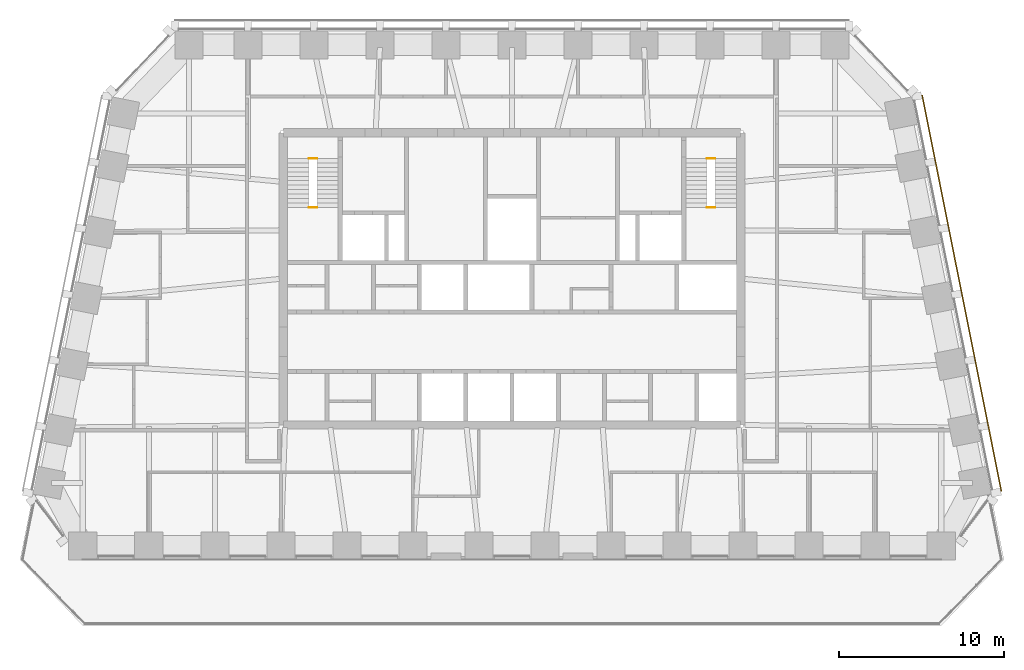
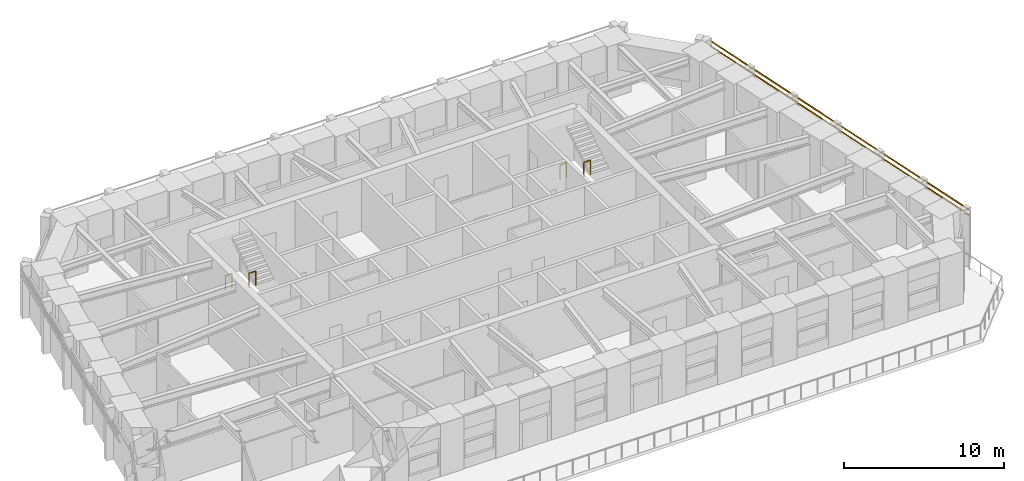
# One storey, part 9 of 10: 4 railings, 2 shading devices.
"""IFC4 building model written with IfcOpenShell, lengths in metres."""

from ifc_helpers import new_model, si_unit, direction, frame, origin, origin_2d, place, context, subcontext, project, spatial, rectangle, circle, extrude, material, material_profile, profile_set, type_object, element, save


model = new_model("IFC4")

# Units and contexts
model_context = context("Model", 3, precision=1e-05, world=origin(), true_north=direction((0.0, 1.0)))
body_context = subcontext(model_context, "Body", "Model", "MODEL_VIEW")
ifc_project = project(units=[si_unit("LENGTHUNIT", "METRE"), si_unit("AREAUNIT", "SQUARE_METRE"), si_unit("VOLUMEUNIT", "CUBIC_METRE"), si_unit("PLANEANGLEUNIT", "RADIAN"), si_unit("MASSUNIT", "GRAM", prefix="KILO")], contexts=[model_context])

# Site, building, storey
site_placement = place(None, origin())
site = spatial("IfcSite", under=ifc_project, at=site_placement, CompositionType="ELEMENT")
building_placement = place(site_placement, origin())
building = spatial("IfcBuilding", under=site, at=building_placement, Name="Isbrekke Arena Tower", CompositionType="ELEMENT")
storey_placement = place(building_placement, frame((0.0, 0.0, 296.0)))
storey = spatial("IfcBuildingStorey", under=building, at=storey_placement, Name="L69", CompositionType="ELEMENT", Elevation=296.0)

# Shading devices
ifc_material_1 = material(Name="Terracotta", Category="masonry")
ifc_material_profile = material_profile(ifc_material_1, rectangle(XDim=0.06005859375, YDim=0.06005859375, at=origin_2d()), Name="BAGUETTE 60X60")
ifc_profile_set = profile_set([ifc_material_profile], Name="Terracotta")
shading_device_type = type_object("IfcShadingDeviceType", Name="BG1 TERRACOTTA BAGUETTE 60 x 60", PredefinedType="USERDEFINED", material=ifc_profile_set)
for number, where, z_axis, x_axis, name in (
    (1, (29.642333984375, 2.12841796875, 3.280029296875), (-0.196118053403, 0.980580292036, 0.0), (-0.980580292036, -0.196118053403, 0.0), "BG1 terracotta baguette E1 L69"),
    (2, (29.642333984375, 2.12841796875, 3.679931640625), (-0.196118053403, 0.980580292036, 0.0), (-0.980580292036, -0.196118053403, 0.0), "BG1 terracotta baguette E2 L69"),
):
    element("IfcShadingDevice", number, at=place(storey_placement, frame(where, z_axis=z_axis, x_axis=x_axis)), inside=storey, type_object=shading_device_type, Name=name, ObjectType="TERRACOTTA BAGUETTE", PredefinedType="USERDEFINED", context=body_context, shape_type="SweptSolid", body=[
        extrude(rectangle(XDim=0.06005859375, YDim=0.06005859375, at=origin_2d()), origin(), (0.0, 0.0, 1.0), 24.475341796875),
    ])

# Railings
ifc_material_2 = material(Name="Steel stair guard, vertical bars, steel handrail", Category="steel")
railing_type = type_object("IfcRailingType", Name="GR3 STAIR WELL GUARD 1100", PredefinedType="GUARDRAIL", material=ifc_material_2)
for number, where, name in (
    (3, (-12.300048828125, 22.300048828125, 0.0), "GR3 stair well guard ST1 L69"),
    (4, (-12.300048828125, 19.330078125, 2.0), "GR3 stair well guard ST1 L69"),
    (5, (11.824951171875, 22.300048828125, 0.0), "GR3 stair well guard ST2 L69"),
    (6, (11.824951171875, 19.330078125, 2.0), "GR3 stair well guard ST2 L69"),
):
    element("IfcRailing", number, at=place(storey_placement, frame(where)), inside=storey, type_object=railing_type, Name=name, PredefinedType="GUARDRAIL", context=body_context, shape_type="SweptSolid", body=[
        extrude(circle(Radius=0.02392578125, at=origin_2d()), frame((0.0, 0.0, 1.076171875), z_axis=(1.0, 0.0, 0.0), x_axis=(0.0, 1.0, 0.0)), (0.0, 0.0, 1.0), 0.47509765625),
        extrude(circle(Radius=0.02099609375, at=origin_2d()), origin(), (0.0, 0.0, 1.0), 1.052001953125),
        extrude(circle(Radius=0.02099609375, at=origin_2d()), frame((0.47509765625, 0.0, 0.0)), (0.0, 0.0, 1.0), 1.052001953125),
    ])

save(model, "model.ifc")
